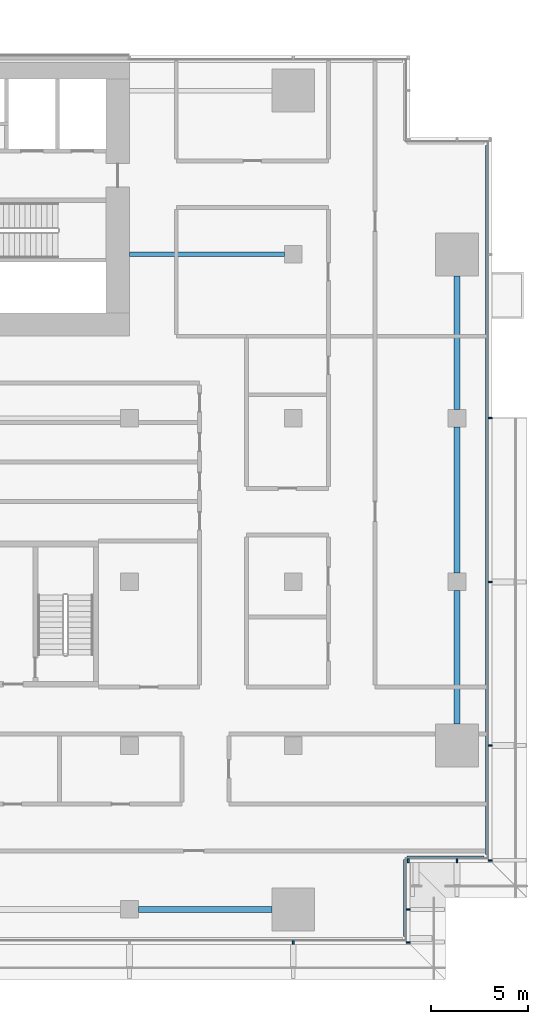
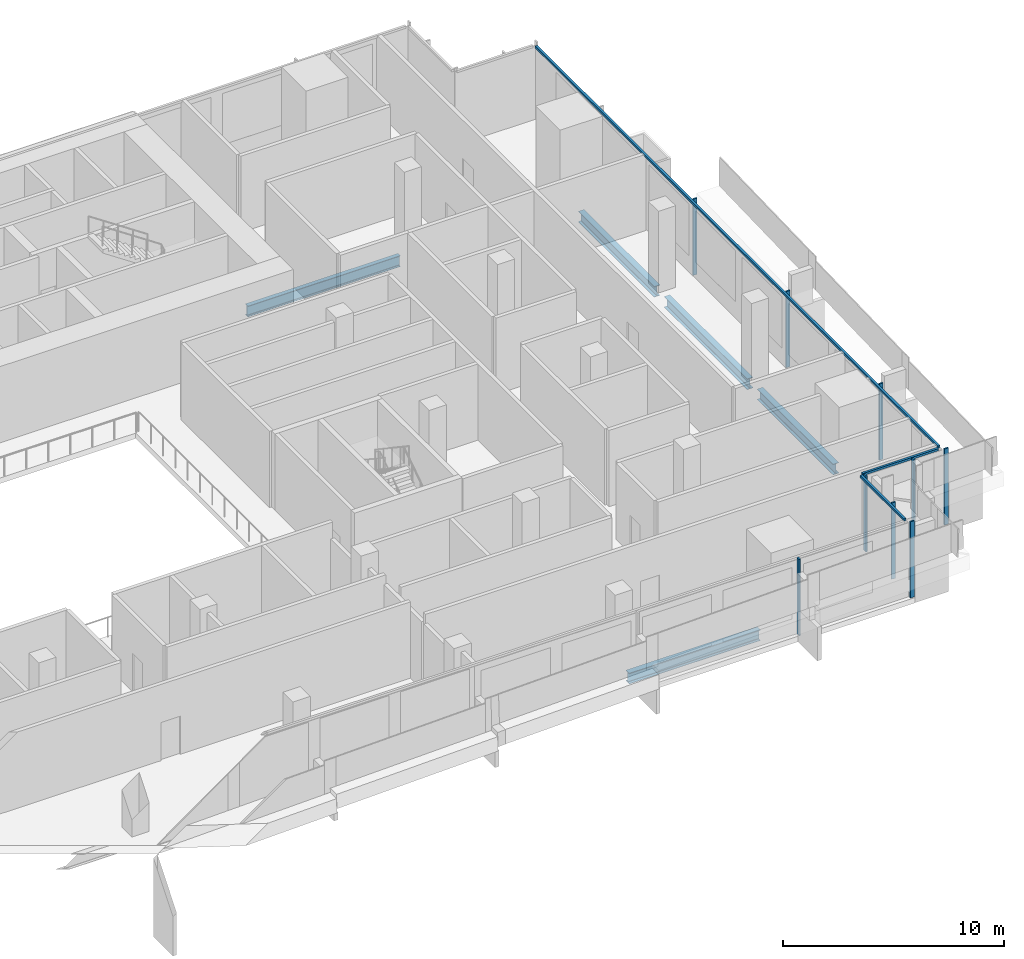
# One storey, part 9 of 24: 12 members, 5 beams, 4 elements without a shape of their own.
"""IFC4 building model written with IfcOpenShell, lengths in metres."""

from ifc_helpers import new_model, si_unit, direction, frame, origin, origin_2d, place, context, subcontext, project, spatial, rectangle, i_section, extrude, material, material_profile, profile_set, type_object, element, aggregate, save


model = new_model("IFC4")

# Units and contexts
model_context = context("Model", 3, precision=1e-05, world=origin(), true_north=direction((0.0, 1.0)))
body_context = subcontext(model_context, "Body", "Model", "MODEL_VIEW")
ifc_project = project(units=[si_unit("LENGTHUNIT", "METRE"), si_unit("AREAUNIT", "SQUARE_METRE"), si_unit("VOLUMEUNIT", "CUBIC_METRE"), si_unit("PLANEANGLEUNIT", "RADIAN"), si_unit("MASSUNIT", "GRAM", prefix="KILO")], contexts=[model_context])

# Site, building, storey
site_placement = place(None, origin())
site = spatial("IfcSite", under=ifc_project, at=site_placement, CompositionType="ELEMENT")
building_placement = place(site_placement, origin())
building = spatial("IfcBuilding", under=site, at=building_placement, Name="Saffron Gate Tower", CompositionType="ELEMENT")
storey_placement = place(building_placement, frame((0.0, 0.0, 28.199951171875)))
storey = spatial("IfcBuildingStorey", under=building, at=storey_placement, Name="L05", CompositionType="ELEMENT", Elevation=28.199951171875)

# Beams
ifc_material_1 = material(Name="Structural steel S355", Category="steel")
ifc_material_profile_1 = material_profile(ifc_material_1, i_section(OverallWidth=0.300048828125, OverallDepth=0.590087890625, WebThickness=0.012939453125, FlangeThickness=0.02490234375, FilletRadius=0.027099609375, at=origin_2d()))
ifc_profile_set_1 = profile_set([ifc_material_profile_1], Name="Structural steel S355")
beam_type_1 = type_object("IfcBeamType", Name="B14 HEA 600", PredefinedType="SPANDREL", material=ifc_profile_set_1)
for number, where, z_axis, x_axis, name in (
    (1, (109.050048828125, 31.800048828125, -0.594970703125), (1.0, 0.0, 0.0), (0.0, 1.0, 0.0), "B14 SPANDREL BEAM"),
    (2, (125.39990234375, 41.300048828125, -0.594970703125), (0.0, 1.0, 0.0), (-1.0, 0.0, 0.0), "B14 SPANDREL BEAM"),
):
    element("IfcBeam", number, at=place(storey_placement, frame(where, z_axis=z_axis, x_axis=x_axis)), inside=storey, type_object=beam_type_1, Name=name, PredefinedType="SPANDREL", context=body_context, shape_type="SweptSolid", body=[
        extrude(i_section(OverallWidth=0.300048828125, OverallDepth=0.590087890625, WebThickness=0.012939453125, FlangeThickness=0.02490234375, FilletRadius=0.027099609375, at=origin_2d()), origin(), (0.0, 0.0, 1.0), 6.849853515625),
    ])
beam_1_placement = place(storey_placement, frame((125.39990234375, 49.050048828125, -0.594970703125), z_axis=(0.0, 1.0, 0.0), x_axis=(-1.0, 0.0, 0.0)))
element("IfcBeam", 3, at=beam_1_placement, inside=storey, type_object=beam_type_1, Name="B14 SPANDREL BEAM", PredefinedType="SPANDREL", context=body_context, shape_type="SweptSolid", body=[
    extrude(i_section(OverallWidth=0.300048828125, OverallDepth=0.590087890625, WebThickness=0.012939453125, FlangeThickness=0.02490234375, FilletRadius=0.027099609375, at=origin_2d()), origin(), (0.0, 0.0, 1.0), 7.5),
])
beam_2_placement = place(storey_placement, frame((125.39990234375, 57.449951171875, -0.594970703125), z_axis=(0.0, 1.0, 0.0), x_axis=(-1.0, 0.0, 0.0)))
element("IfcBeam", 4, at=beam_2_placement, inside=storey, type_object=beam_type_1, Name="B14 SPANDREL BEAM", PredefinedType="SPANDREL", context=body_context, shape_type="SweptSolid", body=[
    extrude(i_section(OverallWidth=0.300048828125, OverallDepth=0.590087890625, WebThickness=0.012939453125, FlangeThickness=0.02490234375, FilletRadius=0.027099609375, at=origin_2d()), origin(), (0.0, 0.0, 1.0), 6.85009765625),
])
ifc_material_profile_2 = material_profile(ifc_material_1, i_section(OverallWidth=0.219970703125, OverallDepth=0.60009765625, WebThickness=0.011962890625, FlangeThickness=0.01904296875, FilletRadius=0.02392578125, at=origin_2d()))
ifc_profile_set_2 = profile_set([ifc_material_profile_2], Name="Structural steel S355")
beam_type_2 = type_object("IfcBeamType", Name="B15 IPE 600", PredefinedType="BEAM", material=ifc_profile_set_2)
beam_3_placement = place(storey_placement, frame((116.550048828125, 65.39990234375, -0.599853515625), z_axis=(-1.0, 0.0, 0.0), x_axis=(0.0, -1.0, 0.0)))
element("IfcBeam", 5, at=beam_3_placement, inside=storey, type_object=beam_type_2, Name="B15 CORE TIE BEAM", PredefinedType="BEAM", context=body_context, shape_type="SweptSolid", body=[
    extrude(i_section(OverallWidth=0.219970703125, OverallDepth=0.60009765625, WebThickness=0.011962890625, FlangeThickness=0.01904296875, FilletRadius=0.02392578125, at=origin_2d()), origin(), (0.0, 0.0, 1.0), 7.949951171875),
])

# Curtain wall, member
ifc_material_2 = material(Name="Aluminium, bronze anodised", Category="aluminium")
curtain_wall_type = type_object("IfcCurtainWallType", Name="CWS6 curtain wall tall storeys", PredefinedType="NOTDEFINED", material=ifc_material_2)
curtain_wall_1_placement = place(storey_placement, origin())
curtain_wall_1 = element("IfcCurtainWall", 6, at=curtain_wall_1_placement, inside=storey, type_object=curtain_wall_type, Name="CWS6 run 2", PredefinedType="NOTDEFINED")
ifc_material_profile_3 = material_profile(ifc_material_2, rectangle(XDim=0.1201171875, YDim=0.1201171875, at=origin_2d()))
ifc_profile_set_3 = profile_set([ifc_material_profile_3], Name="Aluminium, bronze anodised")
member_type_1 = type_object("IfcMemberType", Name="CWS6 head transom", PredefinedType="USERDEFINED", material=ifc_profile_set_3)
member_1_placement = place(storey_placement, frame((122.7119140625, 30.407958984375, 4.14013671875), z_axis=(0.0, 1.0, 0.0), x_axis=(-1.0, 0.0, 0.0)))
member_1 = element("IfcMember", 7, at=member_1_placement, type_object=member_type_1, Name="CWS6 head transom", ObjectType="TRANSOM", PredefinedType="USERDEFINED", context=body_context, shape_type="SweptSolid", body=[
    extrude(rectangle(XDim=0.1201171875, YDim=0.1201171875, at=origin_2d()), origin(), (0.0, 0.0, 1.0), 3.9599609375),
])

curtain_wall_2_placement = place(storey_placement, origin())
curtain_wall_2 = element("IfcCurtainWall", 8, at=curtain_wall_2_placement, inside=storey, type_object=curtain_wall_type, Name="CWS6 run 3", PredefinedType="NOTDEFINED")
member_2_placement = place(storey_placement, frame((122.83203125, 34.488037109375, 4.14013671875), z_axis=(1.0, 0.0, 0.0), x_axis=(0.0, 1.0, 0.0)))
member_2 = element("IfcMember", 9, at=member_2_placement, type_object=member_type_1, Name="CWS6 head transom", ObjectType="TRANSOM", PredefinedType="USERDEFINED", context=body_context, shape_type="SweptSolid", body=[
    extrude(rectangle(XDim=0.1201171875, YDim=0.1201171875, at=origin_2d()), origin(), (0.0, 0.0, 1.0), 3.9599609375),
])

curtain_wall_3_placement = place(storey_placement, origin())
curtain_wall_3 = element("IfcCurtainWall", 10, at=curtain_wall_3_placement, inside=storey, type_object=curtain_wall_type, Name="CWS6 run 4", PredefinedType="NOTDEFINED")
member_3_placement = place(storey_placement, frame((126.912109375, 34.60791015625, 4.14013671875), z_axis=(0.0, 1.0, 0.0), x_axis=(-1.0, 0.0, 0.0)))
member_3 = element("IfcMember", 11, at=member_3_placement, type_object=member_type_1, Name="CWS6 head transom", ObjectType="TRANSOM", PredefinedType="USERDEFINED", context=body_context, shape_type="SweptSolid", body=[
    extrude(rectangle(XDim=0.1201171875, YDim=0.1201171875, at=origin_2d()), origin(), (0.0, 0.0, 1.0), 36.384033203125),
])

curtain_wall_4_placement = place(storey_placement, origin())
curtain_wall_4 = element("IfcCurtainWall", 12, at=curtain_wall_4_placement, inside=storey, type_object=curtain_wall_type, Name="CWS6 run 1", PredefinedType="NOTDEFINED")
ifc_material_profile_4 = material_profile(ifc_material_2, rectangle(XDim=0.199951171875, YDim=0.080078125, at=origin_2d()))
ifc_profile_set_4 = profile_set([ifc_material_profile_4], Name="Aluminium, bronze anodised")
member_type_2 = type_object("IfcMemberType", Name="CWS6 mullion 80x200", PredefinedType="MULLION", material=ifc_profile_set_4)
member_4_placement = place(storey_placement, frame((117.0, 30.10009765625, 0.0), z_axis=(0.0, 0.0, 1.0), x_axis=(0.0, 1.0, 0.0)))
member_4 = element("IfcMember", 13, at=member_4_placement, type_object=member_type_2, Name="CWS6 mullion 9", PredefinedType="MULLION", context=body_context, shape_type="SweptSolid", body=[
    extrude(rectangle(XDim=0.199951171875, YDim=0.080078125, at=origin_2d()), origin(), (0.0, 0.0, 1.0), 4.199951171875),
])
aggregate(curtain_wall_4, [member_4])

# Member
member_5_placement = place(storey_placement, frame((122.89990234375, 30.10009765625, 0.0), z_axis=(0.0, 0.0, 1.0), x_axis=(-1.0, 0.0, 0.0)))
member_5 = element("IfcMember", 14, at=member_5_placement, type_object=member_type_2, Name="CWS6 mullion 1", PredefinedType="MULLION", context=body_context, shape_type="SweptSolid", body=[
    extrude(rectangle(XDim=0.199951171875, YDim=0.080078125, at=origin_2d()), origin(), (0.0, 0.0, 1.0), 4.199951171875),
])

member_6_placement = place(storey_placement, frame((122.89990234375, 31.800048828125, 0.0), z_axis=(0.0, 0.0, 1.0), x_axis=(-1.0, 0.0, 0.0)))
member_6 = element("IfcMember", 15, at=member_6_placement, type_object=member_type_2, Name="CWS6 mullion 2", PredefinedType="MULLION", context=body_context, shape_type="SweptSolid", body=[
    extrude(rectangle(XDim=0.199951171875, YDim=0.080078125, at=origin_2d()), origin(), (0.0, 0.0, 1.0), 4.199951171875),
])

aggregate(curtain_wall_1, [member_5, member_6, member_1])

member_7_placement = place(storey_placement, frame((122.89990234375, 34.300048828125, 0.0), z_axis=(0.0, 0.0, 1.0), x_axis=(0.0, 1.0, 0.0)))
member_7 = element("IfcMember", 16, at=member_7_placement, type_object=member_type_2, Name="CWS6 mullion 1", PredefinedType="MULLION", context=body_context, shape_type="SweptSolid", body=[
    extrude(rectangle(XDim=0.199951171875, YDim=0.080078125, at=origin_2d()), origin(), (0.0, 0.0, 1.0), 4.199951171875),
])

member_8_placement = place(storey_placement, frame((125.39990234375, 34.300048828125, 0.0), z_axis=(0.0, 0.0, 1.0), x_axis=(0.0, 1.0, 0.0)))
member_8 = element("IfcMember", 17, at=member_8_placement, type_object=member_type_2, Name="CWS6 mullion 2", PredefinedType="MULLION", context=body_context, shape_type="SweptSolid", body=[
    extrude(rectangle(XDim=0.199951171875, YDim=0.080078125, at=origin_2d()), origin(), (0.0, 0.0, 1.0), 4.199951171875),
])

aggregate(curtain_wall_2, [member_7, member_8, member_2])

member_9_placement = place(storey_placement, frame((127.10009765625, 34.300048828125, 0.0), z_axis=(0.0, 0.0, 1.0), x_axis=(-1.0, 0.0, 0.0)))
member_9 = element("IfcMember", 18, at=member_9_placement, type_object=member_type_2, Name="CWS6 mullion 1", PredefinedType="MULLION", context=body_context, shape_type="SweptSolid", body=[
    extrude(rectangle(XDim=0.199951171875, YDim=0.080078125, at=origin_2d()), origin(), (0.0, 0.0, 1.0), 4.199951171875),
])

member_10_placement = place(storey_placement, frame((127.10009765625, 40.199951171875, 0.0), z_axis=(0.0, 0.0, 1.0), x_axis=(-1.0, 0.0, 0.0)))
member_10 = element("IfcMember", 19, at=member_10_placement, type_object=member_type_2, Name="CWS6 mullion 2", PredefinedType="MULLION", context=body_context, shape_type="SweptSolid", body=[
    extrude(rectangle(XDim=0.199951171875, YDim=0.080078125, at=origin_2d()), origin(), (0.0, 0.0, 1.0), 4.199951171875),
])

member_11_placement = place(storey_placement, frame((127.10009765625, 48.60009765625, 0.0), z_axis=(0.0, 0.0, 1.0), x_axis=(-1.0, 0.0, 0.0)))
member_11 = element("IfcMember", 20, at=member_11_placement, type_object=member_type_2, Name="CWS6 mullion 3", PredefinedType="MULLION", context=body_context, shape_type="SweptSolid", body=[
    extrude(rectangle(XDim=0.199951171875, YDim=0.080078125, at=origin_2d()), origin(), (0.0, 0.0, 1.0), 4.199951171875),
])

member_12_placement = place(storey_placement, frame((127.10009765625, 57.0, 0.0), z_axis=(0.0, 0.0, 1.0), x_axis=(-1.0, 0.0, 0.0)))
member_12 = element("IfcMember", 21, at=member_12_placement, type_object=member_type_2, Name="CWS6 mullion 4", PredefinedType="MULLION", context=body_context, shape_type="SweptSolid", body=[
    extrude(rectangle(XDim=0.199951171875, YDim=0.080078125, at=origin_2d()), origin(), (0.0, 0.0, 1.0), 4.199951171875),
])

aggregate(curtain_wall_3, [member_9, member_10, member_11, member_12, member_3])

save(model, "model.ifc")
